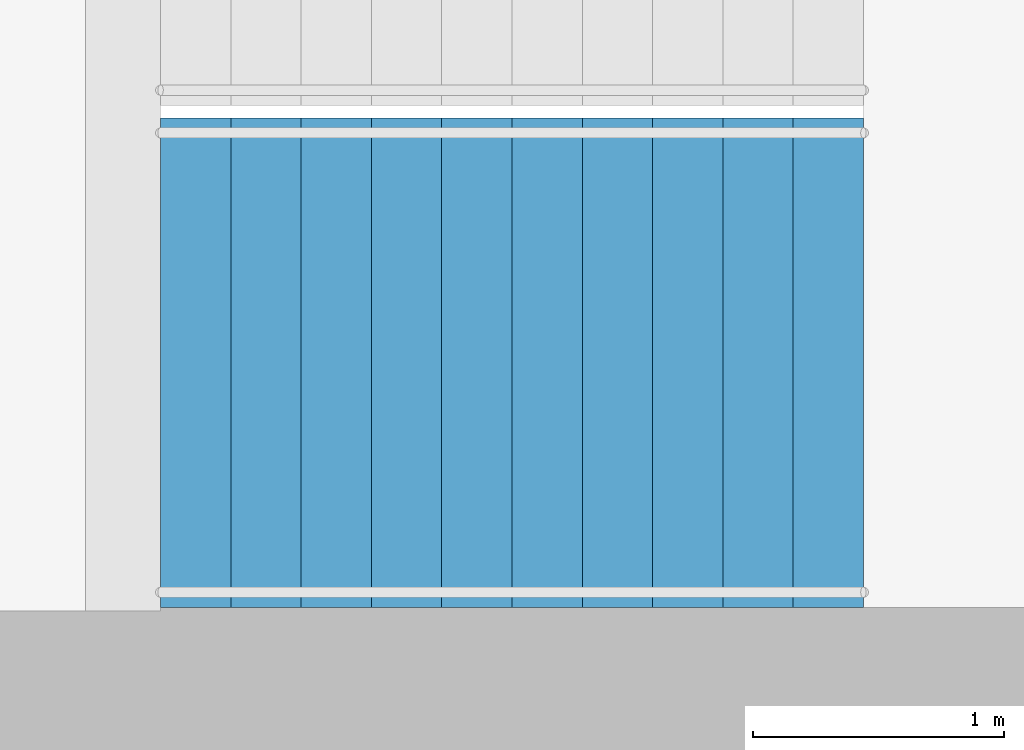
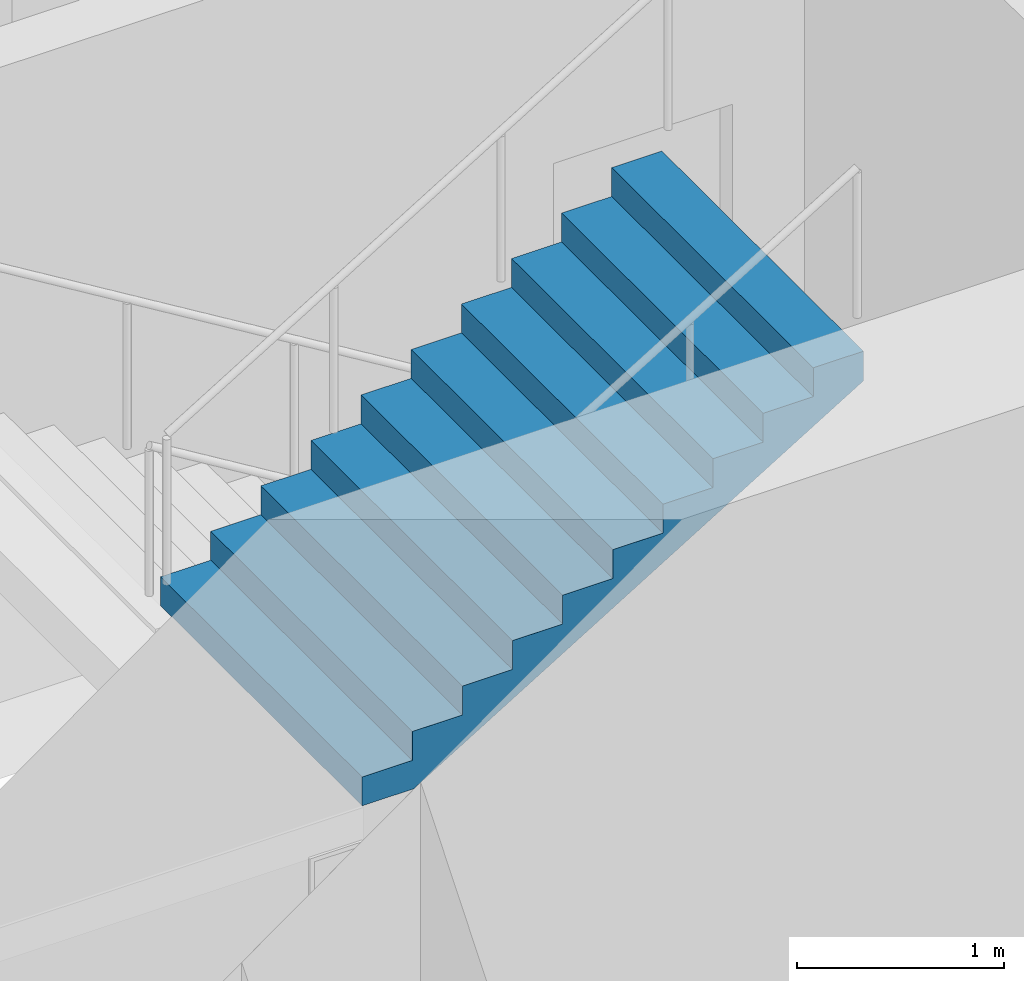
# One storey, part 24 of 28: 1 stair flight, 1 element without a shape of its own.
"""IFC4 building model written with IfcOpenShell, lengths in metres."""

import ifcopenshell
import ifcopenshell.guid

model = None  # the IFC model being written
_history = None  # IfcOwnerHistory: only IFC2X3 demands one
_inside = {}  # id of a spatial element -> (the spatial element, [elements in it])
_under = {}  # id of a project, library or spatial element -> (it, [spatial elements below it])
_declared = {}  # id of a project -> (the project, [libraries it declares])
_typed = {}  # id of a type object -> (the type object, [elements of that type])
_made_of = {}  # id of a material, layer set ... -> (it, [elements and type objects made of it])


def new_model(schema):
    """Start an empty IFC model of exactly this schema.

    Asked for "IFC4X3", IfcOpenShell would pick the latest addendum, in which some entities
    have other attributes; the version numbers below select the first issue.
    IFC2X3 requires an IfcOwnerHistory on every rooted entity: one is made here for all.
    """
    global model, _history
    if schema == "IFC4X3":
        model = ifcopenshell.file(schema_version=(4, 3, 0, 0))
    else:
        model = ifcopenshell.file(schema=schema)
    _inside.clear()
    _under.clear()
    _declared.clear()
    _typed.clear()
    _made_of.clear()
    _history = None
    if model.schema == "IFC2X3":
        org = make("IfcOrganization", Name="unknown")
        user = make(
            "IfcPersonAndOrganization",
            ThePerson=make("IfcPerson", FamilyName="unknown"),
            TheOrganization=org,
        )
        app = make(
            "IfcApplication",
            ApplicationDeveloper=org,
            Version="unknown",
            ApplicationFullName="unknown",
            ApplicationIdentifier="unknown",
        )
        _history = make(
            "IfcOwnerHistory",
            OwningUser=user,
            OwningApplication=app,
            ChangeAction="ADDED",
            CreationDate=0,
        )
    return model


def make(cls, **values):
    """One entity of the class cls with the attributes given. An attribute that is None is left unset."""
    return model.create_entity(
        cls, **{name: value for name, value in values.items() if value is not None}
    )


def rooted(cls, **values):
    """An entity with a GlobalId (a new one), such as an element, a storey or a relation."""
    return make(cls, GlobalId=ifcopenshell.guid.new(), OwnerHistory=_history, **values)


def si_unit(unit_type, name, prefix=None):
    """IfcSIUnit, for example si_unit("LENGTHUNIT", "METRE", prefix="MILLI")."""
    return make("IfcSIUnit", UnitType=unit_type, Prefix=prefix, Name=name)


def assignment(units):
    """IfcUnitAssignment: the units of a project."""
    return None if units is None else make("IfcUnitAssignment", Units=units)


def point(xyz):
    """IfcCartesianPoint."""
    return None if xyz is None else make("IfcCartesianPoint", Coordinates=xyz)


def direction(xyz):
    """IfcDirection."""
    return None if xyz is None else make("IfcDirection", DirectionRatios=xyz)


def frame(location, z_axis=None, x_axis=None):
    """IfcAxis2Placement3D, a coordinate frame: its origin and axes. An axis left out is left unset."""
    return make(
        "IfcAxis2Placement3D",
        Location=point(location),
        Axis=direction(z_axis),
        RefDirection=direction(x_axis),
    )


def origin():
    """The frame at (0, 0, 0) with its axes left unset."""
    return frame((0.0, 0.0, 0.0))


def place(relative_to, where):
    """IfcLocalPlacement: puts the frame where relative to a parent placement (None: the world)."""
    return make(
        "IfcLocalPlacement", PlacementRelTo=relative_to, RelativePlacement=where
    )


def context(
    kind, dimensions, precision=None, world=None, true_north=None, identifier=None
):
    """IfcGeometricRepresentationContext, for example the 3D "Model" context."""
    return make(
        "IfcGeometricRepresentationContext",
        ContextIdentifier=identifier,
        ContextType=kind,
        CoordinateSpaceDimension=dimensions,
        Precision=precision,
        WorldCoordinateSystem=world,
        TrueNorth=true_north,
    )


def subcontext(parent, identifier, kind, view, scale=None):
    """IfcGeometricRepresentationSubContext, for example "Body" below "Model"."""
    return make(
        "IfcGeometricRepresentationSubContext",
        ContextIdentifier=identifier,
        ContextType=kind,
        ParentContext=parent,
        TargetScale=scale,
        TargetView=view,
    )


def project(units=None, contexts=None):
    """IfcProject with its units and contexts."""
    return rooted(
        "IfcProject",
        Name="project",
        RepresentationContexts=contexts,
        UnitsInContext=assignment(units),
    )


def spatial(cls, under=None, at=None, **own):
    """A site, building, storey or space (cls), placed at a placement, below another one or the project."""
    s = rooted(cls, ObjectPlacement=at, **own)
    if under is not None:
        _under.setdefault(under.id(), (under, []))[1].append(s)
    return s


def point_list(points):
    """IfcCartesianPointList2D or 3D."""
    cls = (
        "IfcCartesianPointList2D" if len(points[0]) == 2 else "IfcCartesianPointList3D"
    )
    return make(cls, CoordList=points)


def triangles(points, corners, closed=None, point_numbers=None):
    """IfcTriangulatedFaceSet: each triangle names its three corners, points numbered from 1."""
    return make(
        "IfcTriangulatedFaceSet",
        Coordinates=point_list(points),
        Closed=closed,
        CoordIndex=corners,
        PnIndex=point_numbers,
    )


def shape(context_of_items, identifier, shape_type, items):
    """IfcShapeRepresentation: the items that make up one representation, for example the "Body"."""
    return make(
        "IfcShapeRepresentation",
        ContextOfItems=context_of_items,
        RepresentationIdentifier=identifier,
        RepresentationType=shape_type,
        Items=items,
    )


def material(Name=None, Category=None):
    """IfcMaterial."""
    return make("IfcMaterial", Name=Name, Category=Category)


def made_of(thing, what):
    """Note that an element or type object is made of a material, layer set ...; save() writes the relation."""
    if what is not None:
        _made_of.setdefault(what.id(), (what, []))[1].append(thing)
    return thing


def type_object(cls, material=None, **own):
    """A type object (cls), such as IfcWallType, which elements share."""
    return made_of(rooted(cls, **own), material)


def element(
    cls,
    number,
    at=None,
    inside=None,
    cuts=None,
    type_object=None,
    material=None,
    context=None,
    identifier="Body",
    shape_type=None,
    held_by="IfcProductDefinitionShape",
    body=None,
    shapes=None,
    **own,
):
    """One element of the class cls, such as IfcWall. Its Tag is "e" and its number.

    at: its placement. inside: the storey or other place that contains it. cuts: it is an
    opening in that element (IfcRelVoidsElement). A single representation is given by context,
    identifier, shape_type and body (its items); several are given by shapes. held_by: the class
    of the entity that holds the representations. save() writes the other relations.
    """
    e = rooted(cls, Tag="e%d" % number, ObjectPlacement=at, **own)
    if body is not None:
        shapes = [shape(context, identifier, shape_type, body)]
    if shapes is not None:
        e.Representation = make(held_by, Representations=shapes)
    if inside is not None:
        _inside.setdefault(inside.id(), (inside, []))[1].append(e)
    if cuts is not None:
        rooted(
            "IfcRelVoidsElement", RelatingBuildingElement=cuts, RelatedOpeningElement=e
        )
    if type_object is not None:
        _typed.setdefault(type_object.id(), (type_object, []))[1].append(e)
    return made_of(e, material)


def aggregate(whole, parts):
    """IfcRelAggregates: a whole, such as a stair, and the parts it consists of."""
    return rooted("IfcRelAggregates", RelatingObject=whole, RelatedObjects=parts)


def save(model, path):
    """Write the relations noted so far, then the file.

    IfcRelAggregates (storeys below a building ...), IfcRelContainedInSpatialStructure (elements
    in a storey), IfcRelDefinesByType, IfcRelAssociatesMaterial and IfcRelDeclares: one each for
    every whole, place, type object, material and project.
    """
    for whole, parts in _under.values():
        aggregate(whole, parts)
    for where, things in _inside.values():
        rooted(
            "IfcRelContainedInSpatialStructure",
            RelatedElements=things,
            RelatingStructure=where,
        )
    for kind, things in _typed.values():
        rooted("IfcRelDefinesByType", RelatedObjects=things, RelatingType=kind)
    for what, things in _made_of.values():
        rooted("IfcRelAssociatesMaterial", RelatedObjects=things, RelatingMaterial=what)
    for by, libraries in _declared.values():
        rooted("IfcRelDeclares", RelatingContext=by, RelatedDefinitions=libraries)
    model.write(path)


model = new_model("IFC4")

# Units and contexts
model_context = context("Model", 3, precision=1e-05, world=origin(), true_north=direction((0.0, 1.0)))
body_context = subcontext(model_context, "Body", "Model", "MODEL_VIEW")
ifc_project = project(units=[si_unit("LENGTHUNIT", "METRE"), si_unit("AREAUNIT", "SQUARE_METRE"), si_unit("VOLUMEUNIT", "CUBIC_METRE"), si_unit("PLANEANGLEUNIT", "RADIAN"), si_unit("MASSUNIT", "GRAM", prefix="KILO")], contexts=[model_context])

# Site, building, storey
site_placement = place(None, origin())
site = spatial("IfcSite", under=ifc_project, at=site_placement, CompositionType="ELEMENT")
building_placement = place(site_placement, origin())
building = spatial("IfcBuilding", under=site, at=building_placement, Name="Orbita Commons", CompositionType="ELEMENT")
storey_placement = place(building_placement, frame((0.0, 0.0, 23.949951171875)))
storey = spatial("IfcBuildingStorey", under=building, at=storey_placement, Name="L05", CompositionType="ELEMENT", Elevation=23.949951171875)

# Stair, stair flight
ifc_material_1 = material(Name="Precast concrete C40/50", Category="concrete")
stair_type = type_object("IfcStairType", Name="Exit stair S2 2 flights 11 risers 170", PredefinedType="HALF_TURN_STAIR", material=ifc_material_1)
stair_placement = place(storey_placement, origin())
stair = element("IfcStair", 1, at=stair_placement, inside=storey, type_object=stair_type, Name="Exit stair S2 L05", PredefinedType="HALF_TURN_STAIR")
ifc_material_2 = material(Name="Precast concrete C40/50", Category="concrete")
stair_flight_type = type_object("IfcStairFlightType", Name="Stair flight 11 risers 170 x 280", PredefinedType="STRAIGHT", material=ifc_material_2)
stair_flight_placement = place(storey_placement, frame((60.75, 27.27490234375, 1.875), z_axis=(0.0, 0.0, 1.0), x_axis=(1.0, 0.0, 0.0)))
stair_flight = element("IfcStairFlight", 2, at=stair_flight_placement, type_object=stair_flight_type, Name="S2 flight 2", NumberOfRisers=11, NumberOfTreads=10, PredefinedType="STRAIGHT", RiserHeight=0.170454545, TreadLength=0.28, context=body_context, shape_type="Tessellation", body=[
    triangles([(0.0, 0.974976, 0.0), (0.0, 0.974976, 0.021307), (0.0, 0.81248, 0.021307), (0.0, 0.81248, 0.0), (0.0, 0.649984, 0.021307), (0.0, 0.649984, 0.0), (0.0, 0.487488, 0.021307), (0.0, 0.487488, 0.0), (0.0, 0.324992, 0.021307), (0.0, 0.324992, 0.0), (0.0, 0.162496, 0.021307), (0.0, 0.162496, 0.0), (0.0, 0.0, 0.021307), (0.0, 0.0, 0.0), (0.0, -0.162496, 0.021307), (0.0, -0.162496, 0.0), (0.0, -0.324992, 0.021307), (0.0, -0.324992, 0.0), (0.0, -0.487488, 0.021307), (0.0, -0.487488, 0.0), (0.0, -0.649984, 0.021307), (0.0, -0.649984, 0.0), (0.0, -0.81248, 0.021307), (0.0, -0.81248, 0.0), (0.0, -0.974976, 0.021307), (0.0, -0.974976, 0.0), (0.0, 0.974976, 0.042614), (0.0, 0.81248, 0.042614), (0.0, 0.649984, 0.042614), (0.0, 0.487488, 0.042614), (0.0, 0.324992, 0.042614), (0.0, 0.162496, 0.042614), (0.0, 0.0, 0.042614), (0.0, -0.162496, 0.042614), (0.0, -0.324992, 0.042614), (0.0, -0.487488, 0.042614), (0.0, -0.649984, 0.042614), (0.0, -0.81248, 0.042614), (0.0, -0.974976, 0.042614), (0.0, 0.974976, 0.06392), (0.0, 0.81248, 0.06392), (0.0, 0.649984, 0.06392), (0.0, 0.487488, 0.06392), (0.0, 0.324992, 0.06392), (0.0, 0.162496, 0.06392), (0.0, 0.0, 0.06392), (0.0, -0.162496, 0.06392), (0.0, -0.324992, 0.06392), (0.0, -0.487488, 0.06392), (0.0, -0.649984, 0.06392), (0.0, -0.81248, 0.06392), (0.0, -0.974976, 0.06392), (0.0, 0.974976, 0.085227), (0.0, 0.81248, 0.085227), (0.0, 0.649984, 0.085227), (0.0, 0.487488, 0.085227), (0.0, 0.324992, 0.085227), (0.0, 0.162496, 0.085227), (0.0, 0.0, 0.085227), (0.0, -0.162496, 0.085227), (0.0, -0.324992, 0.085227), (0.0, -0.487488, 0.085227), (0.0, -0.649984, 0.085227), (0.0, -0.81248, 0.085227), (0.0, -0.974976, 0.085227), (0.0, 0.974976, 0.106534), (0.0, 0.81248, 0.106534), (0.0, 0.649984, 0.106534), (0.0, 0.487488, 0.106534), (0.0, 0.324992, 0.106534), (0.0, 0.162496, 0.106534), (0.0, 0.0, 0.106534), (0.0, -0.162496, 0.106534), (0.0, -0.324992, 0.106534), (0.0, -0.487488, 0.106534), (0.0, -0.649984, 0.106534), (0.0, -0.81248, 0.106534), (0.0, -0.974976, 0.106534), (0.0, 0.974976, 0.127841), (0.0, 0.81248, 0.127841), (0.0, 0.649984, 0.127841), (0.0, 0.487488, 0.127841), (0.0, 0.324992, 0.127841), (0.0, 0.162496, 0.127841), (0.0, 0.0, 0.127841), (0.0, -0.162496, 0.127841), (0.0, -0.324992, 0.127841), (0.0, -0.487488, 0.127841), (0.0, -0.649984, 0.127841), (0.0, -0.81248, 0.127841), (0.0, -0.974976, 0.127841), (0.0, 0.974976, 0.149148), (0.0, 0.81248, 0.149148), (0.0, 0.649984, 0.149148), (0.0, 0.487488, 0.149148), (0.0, 0.324992, 0.149148), (0.0, 0.162496, 0.149148), (0.0, 0.0, 0.149148), (0.0, -0.162496, 0.149148), (0.0, -0.324992, 0.149148), (0.0, -0.487488, 0.149148), (0.0, -0.649984, 0.149148), (0.0, -0.81248, 0.149148), (0.0, -0.974976, 0.149148), (0.0, 0.974976, 0.170455), (0.0, 0.81248, 0.170455), (0.0, 0.649984, 0.170455), (0.0, 0.487488, 0.170455), (0.0, 0.324992, 0.170455), (0.0, 0.162496, 0.170455), (0.0, 0.0, 0.170455), (0.0, -0.162496, 0.170455), (0.0, -0.324992, 0.170455), (0.0, -0.487488, 0.170455), (0.0, -0.649984, 0.170455), (0.0, -0.81248, 0.170455), (0.0, -0.974976, 0.170455), (0.28, 0.974976, 0.170455), (0.28, 0.81248, 0.170455), (0.28, 0.649984, 0.170455), (0.28, 0.487488, 0.170455), (0.28, 0.324992, 0.170455), (0.28, 0.162496, 0.170455), (0.28, 0.0, 0.170455), (0.28, -0.162496, 0.170455), (0.28, -0.324992, 0.170455), (0.28, -0.487488, 0.170455), (0.28, -0.649984, 0.170455), (0.28, -0.81248, 0.170455), (0.28, -0.974976, 0.170455), (0.28, 0.974976, 0.340909), (0.28, 0.81248, 0.340909), (0.28, 0.649984, 0.340909), (0.28, 0.487488, 0.340909), (0.28, 0.324992, 0.340909), (0.28, 0.162496, 0.340909), (0.28, 0.0, 0.340909), (0.28, -0.162496, 0.340909), (0.28, -0.324992, 0.340909), (0.28, -0.487488, 0.340909), (0.28, -0.649984, 0.340909), (0.28, -0.81248, 0.340909), (0.28, -0.974976, 0.340909), (0.56, 0.974976, 0.340909), (0.56, 0.81248, 0.340909), (0.56, 0.649984, 0.340909), (0.56, 0.487488, 0.340909), (0.56, 0.324992, 0.340909), (0.56, 0.162496, 0.340909), (0.56, 0.0, 0.340909), (0.56, -0.162496, 0.340909), (0.56, -0.324992, 0.340909), (0.56, -0.487488, 0.340909), (0.56, -0.649984, 0.340909), (0.56, -0.81248, 0.340909), (0.56, -0.974976, 0.340909), (0.56, 0.974976, 0.511364), (0.56, 0.81248, 0.511364), (0.56, 0.649984, 0.511364), (0.56, 0.487488, 0.511364), (0.56, 0.324992, 0.511364), (0.56, 0.162496, 0.511364), (0.56, 0.0, 0.511364), (0.56, -0.162496, 0.511364), (0.56, -0.324992, 0.511364), (0.56, -0.487488, 0.511364), (0.56, -0.649984, 0.511364), (0.56, -0.81248, 0.511364), (0.56, -0.974976, 0.511364), (0.84, 0.974976, 0.511364), (0.84, 0.81248, 0.511364), (0.84, 0.649984, 0.511364), (0.84, 0.487488, 0.511364), (0.84, 0.324992, 0.511364), (0.84, 0.162496, 0.511364), (0.84, 0.0, 0.511364), (0.84, -0.162496, 0.511364), (0.84, -0.324992, 0.511364), (0.84, -0.487488, 0.511364), (0.84, -0.649984, 0.511364), (0.84, -0.81248, 0.511364), (0.84, -0.974976, 0.511364), (0.84, 0.974976, 0.681818), (0.84, 0.81248, 0.681818), (0.84, 0.649984, 0.681818), (0.84, 0.487488, 0.681818), (0.84, 0.324992, 0.681818), (0.84, 0.162496, 0.681818), (0.84, 0.0, 0.681818), (0.84, -0.162496, 0.681818), (0.84, -0.324992, 0.681818), (0.84, -0.487488, 0.681818), (0.84, -0.649984, 0.681818), (0.84, -0.81248, 0.681818), (0.84, -0.974976, 0.681818), (1.12, 0.974976, 0.681818), (1.12, 0.81248, 0.681818), (1.12, 0.649984, 0.681818), (1.12, 0.487488, 0.681818), (1.12, 0.324992, 0.681818), (1.12, 0.162496, 0.681818), (1.12, 0.0, 0.681818), (1.12, -0.162496, 0.681818), (1.12, -0.324992, 0.681818), (1.12, -0.487488, 0.681818), (1.12, -0.649984, 0.681818), (1.12, -0.81248, 0.681818), (1.12, -0.974976, 0.681818), (1.12, 0.974976, 0.852273), (1.12, 0.81248, 0.852273), (1.12, 0.649984, 0.852273), (1.12, 0.487488, 0.852273), (1.12, 0.324992, 0.852273), (1.12, 0.162496, 0.852273), (1.12, 0.0, 0.852273), (1.12, -0.162496, 0.852273), (1.12, -0.324992, 0.852273), (1.12, -0.487488, 0.852273), (1.12, -0.649984, 0.852273), (1.12, -0.81248, 0.852273), (1.12, -0.974976, 0.852273), (1.4, 0.974976, 0.852273), (1.4, 0.81248, 0.852273), (1.4, 0.649984, 0.852273), (1.4, 0.487488, 0.852273), (1.4, 0.324992, 0.852273), (1.4, 0.162496, 0.852273), (1.4, 0.0, 0.852273), (1.4, -0.162496, 0.852273), (1.4, -0.324992, 0.852273), (1.4, -0.487488, 0.852273), (1.4, -0.649984, 0.852273), (1.4, -0.81248, 0.852273), (1.4, -0.974976, 0.852273), (1.4, 0.974976, 1.022727), (1.4, 0.81248, 1.022727), (1.4, 0.649984, 1.022727), (1.4, 0.487488, 1.022727), (1.4, 0.324992, 1.022727), (1.4, 0.162496, 1.022727), (1.4, 0.0, 1.022727), (1.4, -0.162496, 1.022727), (1.4, -0.324992, 1.022727), (1.4, -0.487488, 1.022727), (1.4, -0.649984, 1.022727), (1.4, -0.81248, 1.022727), (1.4, -0.974976, 1.022727), (1.68, 0.974976, 1.022727), (1.68, 0.81248, 1.022727), (1.68, 0.649984, 1.022727), (1.68, 0.487488, 1.022727), (1.68, 0.324992, 1.022727), (1.68, 0.162496, 1.022727), (1.68, 0.0, 1.022727), (1.68, -0.162496, 1.022727), (1.68, -0.324992, 1.022727), (1.68, -0.487488, 1.022727), (1.68, -0.649984, 1.022727), (1.68, -0.81248, 1.022727), (1.68, -0.974976, 1.022727), (1.68, 0.974976, 1.193182), (1.68, 0.81248, 1.193182), (1.68, 0.649984, 1.193182), (1.68, 0.487488, 1.193182), (1.68, 0.324992, 1.193182), (1.68, 0.162496, 1.193182), (1.68, 0.0, 1.193182), (1.68, -0.162496, 1.193182), (1.68, -0.324992, 1.193182), (1.68, -0.487488, 1.193182), (1.68, -0.649984, 1.193182), (1.68, -0.81248, 1.193182), (1.68, -0.974976, 1.193182), (1.96, 0.974976, 1.193182), (1.96, 0.81248, 1.193182), (1.96, 0.649984, 1.193182), (1.96, 0.487488, 1.193182), (1.96, 0.324992, 1.193182), (1.96, 0.162496, 1.193182), (1.96, 0.0, 1.193182), (1.96, -0.162496, 1.193182), (1.96, -0.324992, 1.193182), (1.96, -0.487488, 1.193182), (1.96, -0.649984, 1.193182), (1.96, -0.81248, 1.193182), (1.96, -0.974976, 1.193182), (1.96, 0.974976, 1.363636), (1.96, 0.81248, 1.363636), (1.96, 0.649984, 1.363636), (1.96, 0.487488, 1.363636), (1.96, 0.324992, 1.363636), (1.96, 0.162496, 1.363636), (1.96, 0.0, 1.363636), (1.96, -0.162496, 1.363636), (1.96, -0.324992, 1.363636), (1.96, -0.487488, 1.363636), (1.96, -0.649984, 1.363636), (1.96, -0.81248, 1.363636), (1.96, -0.974976, 1.363636), (2.24, 0.974976, 1.363636), (2.24, 0.81248, 1.363636), (2.24, 0.649984, 1.363636), (2.24, 0.487488, 1.363636), (2.24, 0.324992, 1.363636), (2.24, 0.162496, 1.363636), (2.24, 0.0, 1.363636), (2.24, -0.162496, 1.363636), (2.24, -0.324992, 1.363636), (2.24, -0.487488, 1.363636), (2.24, -0.649984, 1.363636), (2.24, -0.81248, 1.363636), (2.24, -0.974976, 1.363636), (2.24, 0.974976, 1.534091), (2.24, 0.81248, 1.534091), (2.24, 0.649984, 1.534091), (2.24, 0.487488, 1.534091), (2.24, 0.324992, 1.534091), (2.24, 0.162496, 1.534091), (2.24, 0.0, 1.534091), (2.24, -0.162496, 1.534091), (2.24, -0.324992, 1.534091), (2.24, -0.487488, 1.534091), (2.24, -0.649984, 1.534091), (2.24, -0.81248, 1.534091), (2.24, -0.974976, 1.534091), (2.52, 0.974976, 1.534091), (2.52, 0.81248, 1.534091), (2.52, 0.649984, 1.534091), (2.52, 0.487488, 1.534091), (2.52, 0.324992, 1.534091), (2.52, 0.162496, 1.534091), (2.52, 0.0, 1.534091), (2.52, -0.162496, 1.534091), (2.52, -0.324992, 1.534091), (2.52, -0.487488, 1.534091), (2.52, -0.649984, 1.534091), (2.52, -0.81248, 1.534091), (2.52, -0.974976, 1.534091), (2.52, 0.974976, 1.704545), (2.52, 0.81248, 1.704545), (2.52, 0.649984, 1.704545), (2.52, 0.487488, 1.704545), (2.52, 0.324992, 1.704545), (2.52, 0.162496, 1.704545), (2.52, 0.0, 1.704545), (2.52, -0.162496, 1.704545), (2.52, -0.324992, 1.704545), (2.52, -0.487488, 1.704545), (2.52, -0.649984, 1.704545), (2.52, -0.81248, 1.704545), (2.52, -0.974976, 1.704545), (2.8, 0.974976, 1.704545), (2.8, 0.81248, 1.704545), (2.8, 0.649984, 1.704545), (2.8, 0.487488, 1.704545), (2.8, 0.324992, 1.704545), (2.8, 0.162496, 1.704545), (2.8, 0.0, 1.704545), (2.8, -0.162496, 1.704545), (2.8, -0.324992, 1.704545), (2.8, -0.487488, 1.704545), (2.8, -0.649984, 1.704545), (2.8, -0.81248, 1.704545), (2.8, -0.974976, 1.704545), (2.8, 0.974976, 1.682609), (2.8, 0.81248, 1.682609), (2.8, 0.649984, 1.682609), (2.8, 0.487488, 1.682609), (2.8, 0.324992, 1.682609), (2.8, 0.162496, 1.682609), (2.8, 0.0, 1.682609), (2.8, -0.162496, 1.682609), (2.8, -0.324992, 1.682609), (2.8, -0.487488, 1.682609), (2.8, -0.649984, 1.682609), (2.8, -0.81248, 1.682609), (2.8, -0.974976, 1.682609), (2.8, 0.974976, 1.660672), (2.8, 0.81248, 1.660672), (2.8, 0.649984, 1.660672), (2.8, 0.487488, 1.660672), (2.8, 0.324992, 1.660672), (2.8, 0.162496, 1.660672), (2.8, 0.0, 1.660672), (2.8, -0.162496, 1.660672), (2.8, -0.324992, 1.660672), (2.8, -0.487488, 1.660672), (2.8, -0.649984, 1.660672), (2.8, -0.81248, 1.660672), (2.8, -0.974976, 1.660672), (2.8, 0.974976, 1.638735), (2.8, 0.81248, 1.638735), (2.8, 0.649984, 1.638735), (2.8, 0.487488, 1.638735), (2.8, 0.324992, 1.638735), (2.8, 0.162496, 1.638735), (2.8, 0.0, 1.638735), (2.8, -0.162496, 1.638735), (2.8, -0.324992, 1.638735), (2.8, -0.487488, 1.638735), (2.8, -0.649984, 1.638735), (2.8, -0.81248, 1.638735), (2.8, -0.974976, 1.638735), (2.8, 0.974976, 1.616798), (2.8, 0.81248, 1.616798), (2.8, 0.649984, 1.616798), (2.8, 0.487488, 1.616798), (2.8, 0.324992, 1.616798), (2.8, 0.162496, 1.616798), (2.8, 0.0, 1.616798), (2.8, -0.162496, 1.616798), (2.8, -0.324992, 1.616798), (2.8, -0.487488, 1.616798), (2.8, -0.649984, 1.616798), (2.8, -0.81248, 1.616798), (2.8, -0.974976, 1.616798), (2.8, 0.974976, 1.594861), (2.8, 0.81248, 1.594861), (2.8, 0.649984, 1.594861), (2.8, 0.487488, 1.594861), (2.8, 0.324992, 1.594861), (2.8, 0.162496, 1.594861), (2.8, 0.0, 1.594861), (2.8, -0.162496, 1.594861), (2.8, -0.324992, 1.594861), (2.8, -0.487488, 1.594861), (2.8, -0.649984, 1.594861), (2.8, -0.81248, 1.594861), (2.8, -0.974976, 1.594861), (2.8, 0.974976, 1.572925), (2.8, 0.81248, 1.572925), (2.8, 0.649984, 1.572925), (2.8, 0.487488, 1.572925), (2.8, 0.324992, 1.572925), (2.8, 0.162496, 1.572925), (2.8, 0.0, 1.572925), (2.8, -0.162496, 1.572925), (2.8, -0.324992, 1.572925), (2.8, -0.487488, 1.572925), (2.8, -0.649984, 1.572925), (2.8, -0.81248, 1.572925), (2.8, -0.974976, 1.572925), (2.8, 0.974976, 1.550988), (2.8, 0.81248, 1.550988), (2.8, 0.649984, 1.550988), (2.8, 0.487488, 1.550988), (2.8, 0.324992, 1.550988), (2.8, 0.162496, 1.550988), (2.8, 0.0, 1.550988), (2.8, -0.162496, 1.550988), (2.8, -0.324992, 1.550988), (2.8, -0.487488, 1.550988), (2.8, -0.649984, 1.550988), (2.8, -0.81248, 1.550988), (2.8, -0.974976, 1.550988), (2.8, 0.974976, 1.529051), (2.8, 0.81248, 1.529051), (2.8, 0.649984, 1.529051), (2.8, 0.487488, 1.529051), (2.8, 0.324992, 1.529051), (2.8, 0.162496, 1.529051), (2.8, 0.0, 1.529051), (2.8, -0.162496, 1.529051), (2.8, -0.324992, 1.529051), (2.8, -0.487488, 1.529051), (2.8, -0.649984, 1.529051), (2.8, -0.81248, 1.529051), (2.8, -0.974976, 1.529051), (0.288279, 0.974976, 0.0), (0.288279, 0.81248, 0.0), (0.288279, 0.649984, 0.0), (0.288279, 0.487488, 0.0), (0.288279, 0.324992, 0.0), (0.288279, 0.162496, 0.0), (0.288279, 0.0, 0.0), (0.288279, -0.162496, 0.0), (0.288279, -0.324992, 0.0), (0.288279, -0.487488, 0.0), (0.288279, -0.649984, 0.0), (0.288279, -0.81248, 0.0), (0.288279, -0.974976, 0.0)], [[3, 2, 1], [4, 3, 1], [5, 3, 4], [6, 5, 4], [7, 5, 6], [8, 7, 6], [9, 7, 8], [10, 9, 8], [11, 9, 10], [12, 11, 10], [13, 11, 12], [14, 13, 12], [15, 13, 14], [16, 15, 14], [17, 15, 16], [18, 17, 16], [19, 17, 18], [20, 19, 18], [21, 19, 20], [22, 21, 20], [23, 21, 22], [24, 23, 22], [25, 23, 24], [26, 25, 24], [28, 27, 2], [3, 28, 2], [29, 28, 3], [5, 29, 3], [30, 29, 5], [7, 30, 5], [31, 30, 7], [9, 31, 7], [32, 31, 9], [11, 32, 9], [33, 32, 11], [13, 33, 11], [34, 33, 13], [15, 34, 13], [35, 34, 15], [17, 35, 15], [36, 35, 17], [19, 36, 17], [37, 36, 19], [21, 37, 19], [38, 37, 21], [23, 38, 21], [39, 38, 23], [25, 39, 23], [41, 40, 27], [28, 41, 27], [42, 41, 28], [29, 42, 28], [43, 42, 29], [30, 43, 29], [44, 43, 30], [31, 44, 30], [45, 44, 31], [32, 45, 31], [46, 45, 32], [33, 46, 32], [47, 46, 33], [34, 47, 33], [48, 47, 34], [35, 48, 34], [49, 48, 35], [36, 49, 35], [50, 49, 36], [37, 50, 36], [51, 50, 37], [38, 51, 37], [52, 51, 38], [39, 52, 38], [54, 53, 40], [41, 54, 40], [55, 54, 41], [42, 55, 41], [56, 55, 42], [43, 56, 42], [57, 56, 43], [44, 57, 43], [58, 57, 44], [45, 58, 44], [59, 58, 45], [46, 59, 45], [60, 59, 46], [47, 60, 46], [61, 60, 47], [48, 61, 47], [62, 61, 48], [49, 62, 48], [63, 62, 49], [50, 63, 49], [64, 63, 50], [51, 64, 50], [65, 64, 51], [52, 65, 51], [67, 66, 53], [54, 67, 53], [68, 67, 54], [55, 68, 54], [69, 68, 55], [56, 69, 55], [70, 69, 56], [57, 70, 56], [71, 70, 57], [58, 71, 57], [72, 71, 58], [59, 72, 58], [73, 72, 59], [60, 73, 59], [74, 73, 60], [61, 74, 60], [75, 74, 61], [62, 75, 61], [76, 75, 62], [63, 76, 62], [77, 76, 63], [64, 77, 63], [78, 77, 64], [65, 78, 64], [80, 79, 66], [67, 80, 66], [81, 80, 67], [68, 81, 67], [82, 81, 68], [69, 82, 68], [83, 82, 69], [70, 83, 69], [84, 83, 70], [71, 84, 70], [85, 84, 71], [72, 85, 71], [86, 85, 72], [73, 86, 72], [87, 86, 73], [74, 87, 73], [88, 87, 74], [75, 88, 74], [89, 88, 75], [76, 89, 75], [90, 89, 76], [77, 90, 76], [91, 90, 77], [78, 91, 77], [93, 92, 79], [80, 93, 79], [94, 93, 80], [81, 94, 80], [95, 94, 81], [82, 95, 81], [96, 95, 82], [83, 96, 82], [97, 96, 83], [84, 97, 83], [98, 97, 84], [85, 98, 84], [99, 98, 85], [86, 99, 85], [100, 99, 86], [87, 100, 86], [101, 100, 87], [88, 101, 87], [102, 101, 88], [89, 102, 88], [103, 102, 89], [90, 103, 89], [104, 103, 90], [91, 104, 90], [106, 105, 92], [93, 106, 92], [107, 106, 93], [94, 107, 93], [108, 107, 94], [95, 108, 94], [109, 108, 95], [96, 109, 95], [110, 109, 96], [97, 110, 96], [111, 110, 97], [98, 111, 97], [112, 111, 98], [99, 112, 98], [113, 112, 99], [100, 113, 99], [114, 113, 100], [101, 114, 100], [115, 114, 101], [102, 115, 101], [116, 115, 102], [103, 116, 102], [117, 116, 103], [104, 117, 103], [119, 118, 105], [106, 119, 105], [120, 119, 106], [107, 120, 106], [121, 120, 107], [108, 121, 107], [122, 121, 108], [109, 122, 108], [123, 122, 109], [110, 123, 109], [124, 123, 110], [111, 124, 110], [125, 124, 111], [112, 125, 111], [126, 125, 112], [113, 126, 112], [127, 126, 113], [114, 127, 113], [128, 127, 114], [115, 128, 114], [129, 128, 115], [116, 129, 115], [130, 129, 116], [117, 130, 116], [132, 131, 118], [119, 132, 118], [133, 132, 119], [120, 133, 119], [134, 133, 120], [121, 134, 120], [135, 134, 121], [122, 135, 121], [136, 135, 122], [123, 136, 122], [137, 136, 123], [124, 137, 123], [138, 137, 124], [125, 138, 124], [139, 138, 125], [126, 139, 125], [140, 139, 126], [127, 140, 126], [141, 140, 127], [128, 141, 127], [142, 141, 128], [129, 142, 128], [143, 142, 129], [130, 143, 129], [145, 144, 131], [132, 145, 131], [146, 145, 132], [133, 146, 132], [147, 146, 133], [134, 147, 133], [148, 147, 134], [135, 148, 134], [149, 148, 135], [136, 149, 135], [150, 149, 136], [137, 150, 136], [151, 150, 137], [138, 151, 137], [152, 151, 138], [139, 152, 138], [153, 152, 139], [140, 153, 139], [154, 153, 140], [141, 154, 140], [155, 154, 141], [142, 155, 141], [156, 155, 142], [143, 156, 142], [158, 157, 144], [145, 158, 144], [159, 158, 145], [146, 159, 145], [160, 159, 146], [147, 160, 146], [161, 160, 147], [148, 161, 147], [162, 161, 148], [149, 162, 148], [163, 162, 149], [150, 163, 149], [164, 163, 150], [151, 164, 150], [165, 164, 151], [152, 165, 151], [166, 165, 152], [153, 166, 152], [167, 166, 153], [154, 167, 153], [168, 167, 154], [155, 168, 154], [169, 168, 155], [156, 169, 155], [171, 170, 157], [158, 171, 157], [172, 171, 158], [159, 172, 158], [173, 172, 159], [160, 173, 159], [174, 173, 160], [161, 174, 160], [175, 174, 161], [162, 175, 161], [176, 175, 162], [163, 176, 162], [177, 176, 163], [164, 177, 163], [178, 177, 164], [165, 178, 164], [179, 178, 165], [166, 179, 165], [180, 179, 166], [167, 180, 166], [181, 180, 167], [168, 181, 167], [182, 181, 168], [169, 182, 168], [184, 183, 170], [171, 184, 170], [185, 184, 171], [172, 185, 171], [186, 185, 172], [173, 186, 172], [187, 186, 173], [174, 187, 173], [188, 187, 174], [175, 188, 174], [189, 188, 175], [176, 189, 175], [190, 189, 176], [177, 190, 176], [191, 190, 177], [178, 191, 177], [192, 191, 178], [179, 192, 178], [193, 192, 179], [180, 193, 179], [194, 193, 180], [181, 194, 180], [195, 194, 181], [182, 195, 181], [197, 196, 183], [184, 197, 183], [198, 197, 184], [185, 198, 184], [199, 198, 185], [186, 199, 185], [200, 199, 186], [187, 200, 186], [201, 200, 187], [188, 201, 187], [202, 201, 188], [189, 202, 188], [203, 202, 189], [190, 203, 189], [204, 203, 190], [191, 204, 190], [205, 204, 191], [192, 205, 191], [206, 205, 192], [193, 206, 192], [207, 206, 193], [194, 207, 193], [208, 207, 194], [195, 208, 194], [210, 209, 196], [197, 210, 196], [211, 210, 197], [198, 211, 197], [212, 211, 198], [199, 212, 198], [213, 212, 199], [200, 213, 199], [214, 213, 200], [201, 214, 200], [215, 214, 201], [202, 215, 201], [216, 215, 202], [203, 216, 202], [217, 216, 203], [204, 217, 203], [218, 217, 204], [205, 218, 204], [219, 218, 205], [206, 219, 205], [220, 219, 206], [207, 220, 206], [221, 220, 207], [208, 221, 207], [223, 222, 209], [210, 223, 209], [224, 223, 210], [211, 224, 210], [225, 224, 211], [212, 225, 211], [226, 225, 212], [213, 226, 212], [227, 226, 213], [214, 227, 213], [228, 227, 214], [215, 228, 214], [229, 228, 215], [216, 229, 215], [230, 229, 216], [217, 230, 216], [231, 230, 217], [218, 231, 217], [232, 231, 218], [219, 232, 218], [233, 232, 219], [220, 233, 219], [234, 233, 220], [221, 234, 220], [236, 235, 222], [223, 236, 222], [237, 236, 223], [224, 237, 223], [238, 237, 224], [225, 238, 224], [239, 238, 225], [226, 239, 225], [240, 239, 226], [227, 240, 226], [241, 240, 227], [228, 241, 227], [242, 241, 228], [229, 242, 228], [243, 242, 229], [230, 243, 229], [244, 243, 230], [231, 244, 230], [245, 244, 231], [232, 245, 231], [246, 245, 232], [233, 246, 232], [247, 246, 233], [234, 247, 233], [249, 248, 235], [236, 249, 235], [250, 249, 236], [237, 250, 236], [251, 250, 237], [238, 251, 237], [252, 251, 238], [239, 252, 238], [253, 252, 239], [240, 253, 239], [254, 253, 240], [241, 254, 240], [255, 254, 241], [242, 255, 241], [256, 255, 242], [243, 256, 242], [257, 256, 243], [244, 257, 243], [258, 257, 244], [245, 258, 244], [259, 258, 245], [246, 259, 245], [260, 259, 246], [247, 260, 246], [262, 261, 248], [249, 262, 248], [263, 262, 249], [250, 263, 249], [264, 263, 250], [251, 264, 250], [265, 264, 251], [252, 265, 251], [266, 265, 252], [253, 266, 252], [267, 266, 253], [254, 267, 253], [268, 267, 254], [255, 268, 254], [269, 268, 255], [256, 269, 255], [270, 269, 256], [257, 270, 256], [271, 270, 257], [258, 271, 257], [272, 271, 258], [259, 272, 258], [273, 272, 259], [260, 273, 259], [275, 274, 261], [262, 275, 261], [276, 275, 262], [263, 276, 262], [277, 276, 263], [264, 277, 263], [278, 277, 264], [265, 278, 264], [279, 278, 265], [266, 279, 265], [280, 279, 266], [267, 280, 266], [281, 280, 267], [268, 281, 267], [282, 281, 268], [269, 282, 268], [283, 282, 269], [270, 283, 269], [284, 283, 270], [271, 284, 270], [285, 284, 271], [272, 285, 271], [286, 285, 272], [273, 286, 272], [288, 287, 274], [275, 288, 274], [289, 288, 275], [276, 289, 275], [290, 289, 276], [277, 290, 276], [291, 290, 277], [278, 291, 277], [292, 291, 278], [279, 292, 278], [293, 292, 279], [280, 293, 279], [294, 293, 280], [281, 294, 280], [295, 294, 281], [282, 295, 281], [296, 295, 282], [283, 296, 282], [297, 296, 283], [284, 297, 283], [298, 297, 284], [285, 298, 284], [299, 298, 285], [286, 299, 285], [301, 300, 287], [288, 301, 287], [302, 301, 288], [289, 302, 288], [303, 302, 289], [290, 303, 289], [304, 303, 290], [291, 304, 290], [305, 304, 291], [292, 305, 291], [306, 305, 292], [293, 306, 292], [307, 306, 293], [294, 307, 293], [308, 307, 294], [295, 308, 294], [309, 308, 295], [296, 309, 295], [310, 309, 296], [297, 310, 296], [311, 310, 297], [298, 311, 297], [312, 311, 298], [299, 312, 298], [314, 313, 300], [301, 314, 300], [315, 314, 301], [302, 315, 301], [316, 315, 302], [303, 316, 302], [317, 316, 303], [304, 317, 303], [318, 317, 304], [305, 318, 304], [319, 318, 305], [306, 319, 305], [320, 319, 306], [307, 320, 306], [321, 320, 307], [308, 321, 307], [322, 321, 308], [309, 322, 308], [323, 322, 309], [310, 323, 309], [324, 323, 310], [311, 324, 310], [325, 324, 311], [312, 325, 311], [327, 326, 313], [314, 327, 313], [328, 327, 314], [315, 328, 314], [329, 328, 315], [316, 329, 315], [330, 329, 316], [317, 330, 316], [331, 330, 317], [318, 331, 317], [332, 331, 318], [319, 332, 318], [333, 332, 319], [320, 333, 319], [334, 333, 320], [321, 334, 320], [335, 334, 321], [322, 335, 321], [336, 335, 322], [323, 336, 322], [337, 336, 323], [324, 337, 323], [338, 337, 324], [325, 338, 324], [340, 339, 326], [327, 340, 326], [341, 340, 327], [328, 341, 327], [342, 341, 328], [329, 342, 328], [343, 342, 329], [330, 343, 329], [344, 343, 330], [331, 344, 330], [345, 344, 331], [332, 345, 331], [346, 345, 332], [333, 346, 332], [347, 346, 333], [334, 347, 333], [348, 347, 334], [335, 348, 334], [349, 348, 335], [336, 349, 335], [350, 349, 336], [337, 350, 336], [351, 350, 337], [338, 351, 337], [353, 352, 339], [340, 353, 339], [354, 353, 340], [341, 354, 340], [355, 354, 341], [342, 355, 341], [356, 355, 342], [343, 356, 342], [357, 356, 343], [344, 357, 343], [358, 357, 344], [345, 358, 344], [359, 358, 345], [346, 359, 345], [360, 359, 346], [347, 360, 346], [361, 360, 347], [348, 361, 347], [362, 361, 348], [349, 362, 348], [363, 362, 349], [350, 363, 349], [364, 363, 350], [351, 364, 350], [366, 365, 352], [353, 366, 352], [367, 366, 353], [354, 367, 353], [368, 367, 354], [355, 368, 354], [369, 368, 355], [356, 369, 355], [370, 369, 356], [357, 370, 356], [371, 370, 357], [358, 371, 357], [372, 371, 358], [359, 372, 358], [373, 372, 359], [360, 373, 359], [374, 373, 360], [361, 374, 360], [375, 374, 361], [362, 375, 361], [376, 375, 362], [363, 376, 362], [377, 376, 363], [364, 377, 363], [379, 378, 365], [366, 379, 365], [380, 379, 366], [367, 380, 366], [381, 380, 367], [368, 381, 367], [382, 381, 368], [369, 382, 368], [383, 382, 369], [370, 383, 369], [384, 383, 370], [371, 384, 370], [385, 384, 371], [372, 385, 371], [386, 385, 372], [373, 386, 372], [387, 386, 373], [374, 387, 373], [388, 387, 374], [375, 388, 374], [389, 388, 375], [376, 389, 375], [390, 389, 376], [377, 390, 376], [392, 391, 378], [379, 392, 378], [393, 392, 379], [380, 393, 379], [394, 393, 380], [381, 394, 380], [395, 394, 381], [382, 395, 381], [396, 395, 382], [383, 396, 382], [397, 396, 383], [384, 397, 383], [398, 397, 384], [385, 398, 384], [399, 398, 385], [386, 399, 385], [400, 399, 386], [387, 400, 386], [401, 400, 387], [388, 401, 387], [402, 401, 388], [389, 402, 388], [403, 402, 389], [390, 403, 389], [405, 404, 391], [392, 405, 391], [406, 405, 392], [393, 406, 392], [407, 406, 393], [394, 407, 393], [408, 407, 394], [395, 408, 394], [409, 408, 395], [396, 409, 395], [410, 409, 396], [397, 410, 396], [411, 410, 397], [398, 411, 397], [412, 411, 398], [399, 412, 398], [413, 412, 399], [400, 413, 399], [414, 413, 400], [401, 414, 400], [415, 414, 401], [402, 415, 401], [416, 415, 402], [403, 416, 402], [418, 417, 404], [405, 418, 404], [419, 418, 405], [406, 419, 405], [420, 419, 406], [407, 420, 406], [421, 420, 407], [408, 421, 407], [422, 421, 408], [409, 422, 408], [423, 422, 409], [410, 423, 409], [424, 423, 410], [411, 424, 410], [425, 424, 411], [412, 425, 411], [426, 425, 412], [413, 426, 412], [427, 426, 413], [414, 427, 413], [428, 427, 414], [415, 428, 414], [429, 428, 415], [416, 429, 415], [431, 430, 417], [418, 431, 417], [432, 431, 418], [419, 432, 418], [433, 432, 419], [420, 433, 419], [434, 433, 420], [421, 434, 420], [435, 434, 421], [422, 435, 421], [436, 435, 422], [423, 436, 422], [437, 436, 423], [424, 437, 423], [438, 437, 424], [425, 438, 424], [439, 438, 425], [426, 439, 425], [440, 439, 426], [427, 440, 426], [441, 440, 427], [428, 441, 427], [442, 441, 428], [429, 442, 428], [444, 443, 430], [431, 444, 430], [445, 444, 431], [432, 445, 431], [446, 445, 432], [433, 446, 432], [447, 446, 433], [434, 447, 433], [448, 447, 434], [435, 448, 434], [449, 448, 435], [436, 449, 435], [450, 449, 436], [437, 450, 436], [451, 450, 437], [438, 451, 437], [452, 451, 438], [439, 452, 438], [453, 452, 439], [440, 453, 439], [454, 453, 440], [441, 454, 440], [455, 454, 441], [442, 455, 441], [457, 456, 443], [444, 457, 443], [458, 457, 444], [445, 458, 444], [459, 458, 445], [446, 459, 445], [460, 459, 446], [447, 460, 446], [461, 460, 447], [448, 461, 447], [462, 461, 448], [449, 462, 448], [463, 462, 449], [450, 463, 449], [464, 463, 450], [451, 464, 450], [465, 464, 451], [452, 465, 451], [466, 465, 452], [453, 466, 452], [467, 466, 453], [454, 467, 453], [468, 467, 454], [455, 468, 454], [470, 469, 456], [457, 470, 456], [471, 470, 457], [458, 471, 457], [472, 471, 458], [459, 472, 458], [473, 472, 459], [460, 473, 459], [474, 473, 460], [461, 474, 460], [475, 474, 461], [462, 475, 461], [476, 475, 462], [463, 476, 462], [477, 476, 463], [464, 477, 463], [478, 477, 464], [465, 478, 464], [479, 478, 465], [466, 479, 465], [480, 479, 466], [467, 480, 466], [481, 480, 467], [468, 481, 467], [4, 1, 469], [470, 4, 469], [6, 4, 470], [471, 6, 470], [8, 6, 471], [472, 8, 471], [10, 8, 472], [473, 10, 472], [12, 10, 473], [474, 12, 473], [14, 12, 474], [475, 14, 474], [16, 14, 475], [476, 16, 475], [18, 16, 476], [477, 18, 476], [20, 18, 477], [478, 20, 477], [22, 20, 478], [479, 22, 478], [24, 22, 479], [480, 24, 479], [26, 24, 480], [481, 26, 480], [456, 469, 1], [26, 481, 468], [443, 456, 1], [26, 468, 455], [430, 443, 1], [26, 455, 442], [417, 430, 1], [26, 442, 429], [404, 417, 1], [26, 429, 416], [391, 404, 1], [26, 416, 403], [378, 391, 1], [26, 403, 390], [365, 378, 1], [26, 390, 377], [339, 352, 365], [377, 364, 351], [326, 339, 365], [377, 351, 338], [300, 313, 326], [338, 325, 312], [300, 326, 365], [377, 338, 312], [274, 287, 300], [312, 299, 286], [274, 300, 365], [377, 312, 286], [248, 261, 274], [286, 273, 260], [248, 274, 365], [377, 286, 260], [222, 235, 248], [260, 247, 234], [222, 248, 365], [377, 260, 234], [196, 209, 222], [234, 221, 208], [196, 222, 365], [377, 234, 208], [170, 183, 196], [208, 195, 182], [170, 196, 365], [377, 208, 182], [144, 157, 170], [182, 169, 156], [144, 170, 365], [377, 182, 156], [118, 131, 144], [156, 143, 130], [118, 144, 365], [377, 156, 130], [118, 365, 1], [26, 377, 130], [92, 105, 118], [130, 117, 104], [79, 92, 118], [130, 104, 91], [66, 79, 118], [130, 91, 78], [53, 66, 118], [130, 78, 65], [40, 53, 118], [130, 65, 52], [27, 40, 118], [130, 52, 39], [2, 27, 118], [130, 39, 25], [1, 2, 118], [130, 25, 26]], closed=True),
])
aggregate(stair, [stair_flight])

save(model, "model.ifc")
